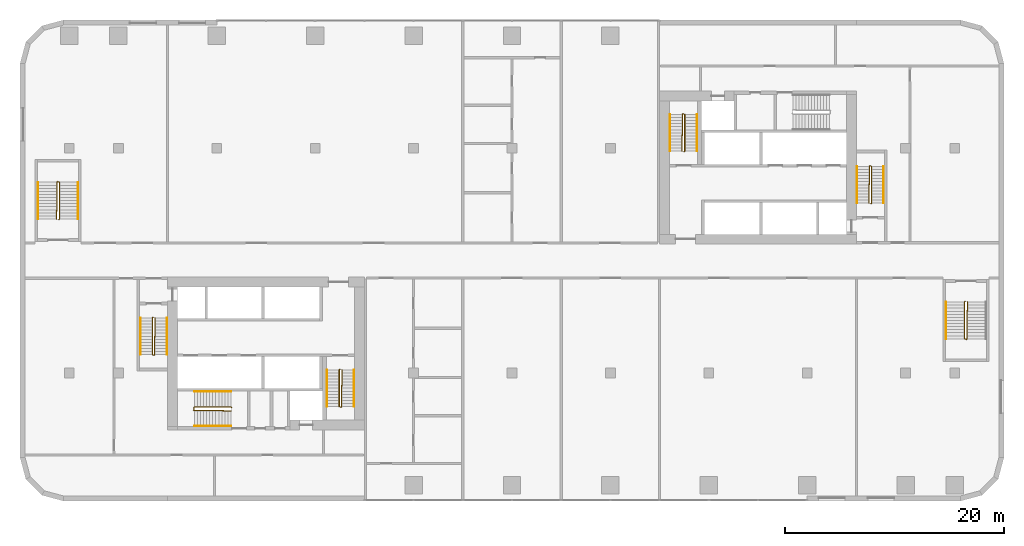
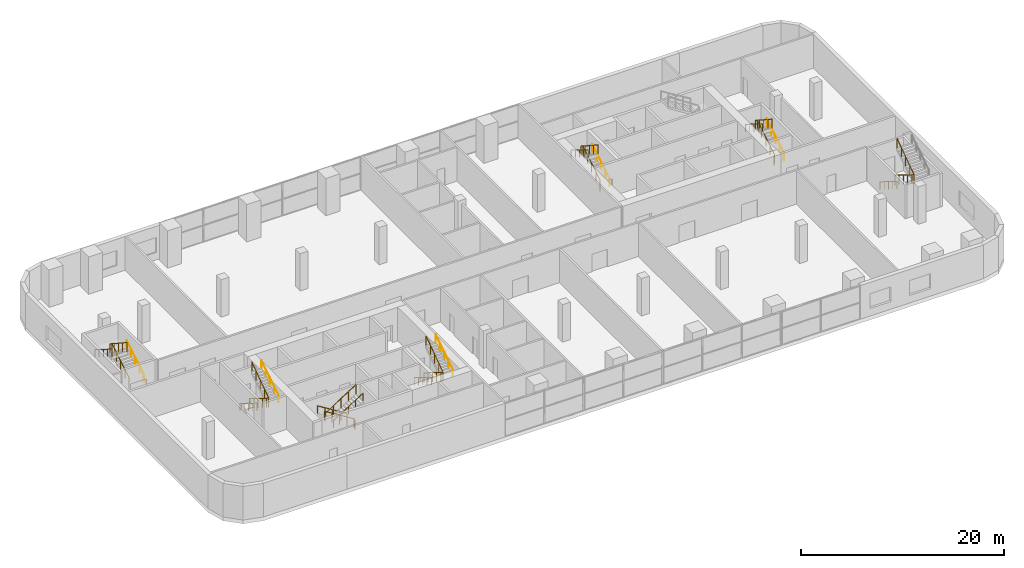
# One storey, part 18 of 19: 20 railings.
"""IFC4 building model written with IfcOpenShell, lengths in metres."""

from ifc_helpers import new_model, si_unit, direction, frame, origin, origin_2d, place, context, subcontext, project, spatial, circle, extrude, material, type_object, element, save


model = new_model("IFC4")

# Units and contexts
model_context = context("Model", 3, precision=1e-05, world=origin(), true_north=direction((0.0, 1.0)))
body_context = subcontext(model_context, "Body", "Model", "MODEL_VIEW")
ifc_project = project(units=[si_unit("LENGTHUNIT", "METRE"), si_unit("AREAUNIT", "SQUARE_METRE"), si_unit("VOLUMEUNIT", "CUBIC_METRE"), si_unit("PLANEANGLEUNIT", "RADIAN"), si_unit("MASSUNIT", "GRAM", prefix="KILO")], contexts=[model_context])

# Site, building, storey
site_placement = place(None, origin())
site = spatial("IfcSite", under=ifc_project, at=site_placement, CompositionType="ELEMENT")
building_placement = place(site_placement, origin())
building = spatial("IfcBuilding", under=site, at=building_placement, Name="Kajstack Hotel Tower", CompositionType="ELEMENT")
storey_placement = place(building_placement, frame((0.0, 0.0, 33.5)))
storey = spatial("IfcBuildingStorey", under=building, at=storey_placement, Name="L05", CompositionType="ELEMENT", Elevation=33.5)

# Railings
ifc_material = material(Name="Steel S355J2", Category="steel")
railing_type_1 = type_object("IfcRailingType", Name="Stair guard 1100", PredefinedType="GUARDRAIL", material=ifc_material)
railing_1_placement = place(storey_placement, frame((-32.85009765625, -5.199951171875, 0.0)))
element("IfcRailing", 1, at=railing_1_placement, inside=storey, type_object=railing_type_1, Name="L05 W1 stair guard 1", PredefinedType="GUARDRAIL", context=body_context, shape_type="SweptSolid", body=[
    extrude(circle(Radius=0.02392578125, at=origin_2d()), frame((0.0, 0.0, 1.076171875), z_axis=(-0.266417085129, -0.267723051232, 0.925929967433), x_axis=(0.708833529934, -0.705375805398, 0.0)), (0.0, 0.0, 1.0), 0.18701171875),
    extrude(circle(Radius=0.02392578125, at=origin_2d()), frame((-0.0498046875, -0.050048828125, 1.2490234375), z_axis=(0.0, -0.850623216509, 0.525775754039), x_axis=(1.0, 0.0, 0.0)), (0.0, 0.0, 1.0), 3.9501953125),
    extrude(circle(Radius=0.02392578125, at=origin_2d()), frame((-0.0498046875, -3.41015625, 3.326171875), z_axis=(0.970351222016, -0.241699205484, 0.0), x_axis=(0.241699205484, 0.970351222016, 0.0)), (0.0, 0.0, 1.0), 0.2060546875),
    extrude(circle(Radius=0.02392578125, at=origin_2d()), frame((0.150146484375, -3.4599609375, 3.326171875), z_axis=(0.012249917091, 0.834607765926, 0.550708467873), x_axis=(-0.999892303572, 0.014675873289, 0.0)), (0.0, 0.0, 1.0), 4.085693359375),
    extrude(circle(Radius=0.02099609375, at=origin_2d()), origin(), (0.0, 0.0, 1.0), 1.052001953125),
    extrude(circle(Radius=0.02099609375, at=origin_2d()), frame((-0.0498046875, -0.050048828125, 0.173095703125)), (0.0, 0.0, 1.0), 1.052001953125),
    extrude(circle(Radius=0.02099609375, at=origin_2d()), frame((-0.0498046875, -0.89013671875, 0.6923828125)), (0.0, 0.0, 1.0), 1.052001953125),
    extrude(circle(Radius=0.02099609375, at=origin_2d()), frame((-0.0498046875, -1.72998046875, 1.21142578125)), (0.0, 0.0, 1.0), 1.052001953125),
    extrude(circle(Radius=0.02099609375, at=origin_2d()), frame((-0.0498046875, -2.570068359375, 1.730712890625)), (0.0, 0.0, 1.0), 1.052001953125),
    extrude(circle(Radius=0.02099609375, at=origin_2d()), frame((-0.0498046875, -3.41015625, 2.25)), (0.0, 0.0, 1.0), 1.052001953125),
    extrude(circle(Radius=0.02099609375, at=origin_2d()), frame((0.150146484375, -3.4599609375, 2.25)), (0.0, 0.0, 1.0), 1.052001953125),
    extrude(circle(Radius=0.02099609375, at=origin_2d()), frame((0.16259765625, -2.607421875, 2.8125)), (0.0, 0.0, 1.0), 1.052001953125),
    extrude(circle(Radius=0.02099609375, at=origin_2d()), frame((0.17529296875, -1.7548828125, 3.375)), (0.0, 0.0, 1.0), 1.052001953125),
    extrude(circle(Radius=0.02099609375, at=origin_2d()), frame((0.187744140625, -0.902587890625, 3.9375)), (0.0, 0.0, 1.0), 1.052001953125),
    extrude(circle(Radius=0.02099609375, at=origin_2d()), frame((0.2001953125, -0.050048828125, 4.5)), (0.0, 0.0, 1.0), 1.052001953125),
])
railing_2_placement = place(storey_placement, frame((-15.75, -9.949951171875, 0.0)))
element("IfcRailing", 2, at=railing_2_placement, inside=storey, type_object=railing_type_1, Name="L05 W2 stair guard 1", PredefinedType="GUARDRAIL", context=body_context, shape_type="SweptSolid", body=[
    extrude(circle(Radius=0.02392578125, at=origin_2d()), frame((0.0, 0.0, 1.076171875), z_axis=(-0.267629722418, -0.267629722418, 0.925607186314), x_axis=(0.707106781187, -0.707106781187, 0.0)), (0.0, 0.0, 1.0), 0.18701171875),
    extrude(circle(Radius=0.02392578125, at=origin_2d()), frame((-0.050048828125, -0.050048828125, 1.2490234375), z_axis=(0.0, -0.850623216509, 0.525775754039), x_axis=(1.0, 0.0, 0.0)), (0.0, 0.0, 1.0), 3.9501953125),
    extrude(circle(Radius=0.02392578125, at=origin_2d()), frame((-0.050048828125, -3.41015625, 3.326171875), z_axis=(0.970351222016, -0.241699205484, 0.0), x_axis=(0.241699205484, 0.970351222016, 0.0)), (0.0, 0.0, 1.0), 0.2060546875),
    extrude(circle(Radius=0.02392578125, at=origin_2d()), frame((0.14990234375, -3.4599609375, 3.326171875), z_axis=(0.012249917091, 0.834607765926, 0.550708467873), x_axis=(-0.999892303572, 0.014675873289, 0.0)), (0.0, 0.0, 1.0), 4.085693359375),
    extrude(circle(Radius=0.02099609375, at=origin_2d()), origin(), (0.0, 0.0, 1.0), 1.052001953125),
    extrude(circle(Radius=0.02099609375, at=origin_2d()), frame((-0.050048828125, -0.050048828125, 0.173095703125)), (0.0, 0.0, 1.0), 1.052001953125),
    extrude(circle(Radius=0.02099609375, at=origin_2d()), frame((-0.050048828125, -0.89013671875, 0.6923828125)), (0.0, 0.0, 1.0), 1.052001953125),
    extrude(circle(Radius=0.02099609375, at=origin_2d()), frame((-0.050048828125, -1.72998046875, 1.21142578125)), (0.0, 0.0, 1.0), 1.052001953125),
    extrude(circle(Radius=0.02099609375, at=origin_2d()), frame((-0.050048828125, -2.570068359375, 1.730712890625)), (0.0, 0.0, 1.0), 1.052001953125),
    extrude(circle(Radius=0.02099609375, at=origin_2d()), frame((-0.050048828125, -3.41015625, 2.25)), (0.0, 0.0, 1.0), 1.052001953125),
    extrude(circle(Radius=0.02099609375, at=origin_2d()), frame((0.14990234375, -3.4599609375, 2.25)), (0.0, 0.0, 1.0), 1.052001953125),
    extrude(circle(Radius=0.02099609375, at=origin_2d()), frame((0.162353515625, -2.607421875, 2.8125)), (0.0, 0.0, 1.0), 1.052001953125),
    extrude(circle(Radius=0.02099609375, at=origin_2d()), frame((0.1748046875, -1.7548828125, 3.375)), (0.0, 0.0, 1.0), 1.052001953125),
    extrude(circle(Radius=0.02099609375, at=origin_2d()), frame((0.1875, -0.902587890625, 3.9375)), (0.0, 0.0, 1.0), 1.052001953125),
    extrude(circle(Radius=0.02099609375, at=origin_2d()), frame((0.199951171875, -0.050048828125, 4.5)), (0.0, 0.0, 1.0), 1.052001953125),
])
railing_3_placement = place(storey_placement, frame((-25.64990234375, -13.449951171875, 0.0)))
element("IfcRailing", 3, at=railing_3_placement, inside=storey, type_object=railing_type_1, Name="L05 W3 stair guard 1", PredefinedType="GUARDRAIL", context=body_context, shape_type="SweptSolid", body=[
    extrude(circle(Radius=0.02392578125, at=origin_2d()), frame((0.0, 0.0, 1.076171875), z_axis=(-0.267629722418, 0.267629722418, 0.925607186314), x_axis=(-0.707106781187, -0.707106781187, 0.0)), (0.0, 0.0, 1.0), 0.18701171875),
    extrude(circle(Radius=0.02392578125, at=origin_2d()), frame((-0.050048828125, 0.050048828125, 1.2490234375), z_axis=(-0.850623216509, 0.0, 0.525775754039), x_axis=(0.0, -1.0, 0.0)), (0.0, 0.0, 1.0), 3.9501953125),
    extrude(circle(Radius=0.02392578125, at=origin_2d()), frame((-3.41015625, 0.050048828125, 3.326171875), z_axis=(-0.164529134168, -0.986372223864, 0.0), x_axis=(0.986372223864, -0.164529134168, 0.0)), (0.0, 0.0, 1.0), 0.30419921875),
    extrude(circle(Radius=0.02392578125, at=origin_2d()), frame((-3.460205078125, -0.25, 3.326171875), z_axis=(0.834625896233, -0.01224930618, 0.5506810037), x_axis=(0.014674822837, 0.99989231899, 0.0)), (0.0, 0.0, 1.0), 4.0859375),
    extrude(circle(Radius=0.02099609375, at=origin_2d()), origin(), (0.0, 0.0, 1.0), 1.052001953125),
    extrude(circle(Radius=0.02099609375, at=origin_2d()), frame((-0.050048828125, 0.050048828125, 0.173095703125)), (0.0, 0.0, 1.0), 1.052001953125),
    extrude(circle(Radius=0.02099609375, at=origin_2d()), frame((-0.89013671875, 0.050048828125, 0.6923828125)), (0.0, 0.0, 1.0), 1.052001953125),
    extrude(circle(Radius=0.02099609375, at=origin_2d()), frame((-1.72998046875, 0.050048828125, 1.21142578125)), (0.0, 0.0, 1.0), 1.052001953125),
    extrude(circle(Radius=0.02099609375, at=origin_2d()), frame((-2.570068359375, 0.050048828125, 1.730712890625)), (0.0, 0.0, 1.0), 1.052001953125),
    extrude(circle(Radius=0.02099609375, at=origin_2d()), frame((-3.41015625, 0.050048828125, 2.25)), (0.0, 0.0, 1.0), 1.052001953125),
    extrude(circle(Radius=0.02099609375, at=origin_2d()), frame((-3.460205078125, -0.25, 2.25)), (0.0, 0.0, 1.0), 1.052001953125),
    extrude(circle(Radius=0.02099609375, at=origin_2d()), frame((-2.607666015625, -0.262451171875, 2.8125)), (0.0, 0.0, 1.0), 1.052001953125),
    extrude(circle(Radius=0.02099609375, at=origin_2d()), frame((-1.755126953125, -0.27490234375, 3.375)), (0.0, 0.0, 1.0), 1.052001953125),
    extrude(circle(Radius=0.02099609375, at=origin_2d()), frame((-0.902587890625, -0.28759765625, 3.9375)), (0.0, 0.0, 1.0), 1.052001953125),
    extrude(circle(Radius=0.02099609375, at=origin_2d()), frame((-0.050048828125, -0.300048828125, 4.5)), (0.0, 0.0, 1.0), 1.052001953125),
])
railing_4_placement = place(storey_placement, frame((32.85009765625, 5.199951171875, 0.0)))
element("IfcRailing", 4, at=railing_4_placement, inside=storey, type_object=railing_type_1, Name="L05 E1 stair guard 1", PredefinedType="GUARDRAIL", context=body_context, shape_type="SweptSolid", body=[
    extrude(circle(Radius=0.02392578125, at=origin_2d()), frame((0.0, 0.0, 1.076171875), z_axis=(0.266417085129, 0.267723051232, 0.925929967433), x_axis=(-0.708833529934, 0.705375805398, 0.0)), (0.0, 0.0, 1.0), 0.18701171875),
    extrude(circle(Radius=0.02392578125, at=origin_2d()), frame((0.0498046875, 0.050048828125, 1.2490234375), z_axis=(0.0, 0.850623216509, 0.525775754039), x_axis=(-1.0, 0.0, 0.0)), (0.0, 0.0, 1.0), 3.9501953125),
    extrude(circle(Radius=0.02392578125, at=origin_2d()), frame((0.0498046875, 3.41015625, 3.326171875), z_axis=(-0.970351222016, 0.241699205484, 0.0), x_axis=(-0.241699205484, -0.970351222016, 0.0)), (0.0, 0.0, 1.0), 0.2060546875),
    extrude(circle(Radius=0.02392578125, at=origin_2d()), frame((-0.150146484375, 3.4599609375, 3.326171875), z_axis=(-0.012249917091, -0.834607765926, 0.550708467873), x_axis=(0.999892303572, -0.014675873289, 0.0)), (0.0, 0.0, 1.0), 4.085693359375),
    extrude(circle(Radius=0.02099609375, at=origin_2d()), origin(), (0.0, 0.0, 1.0), 1.052001953125),
    extrude(circle(Radius=0.02099609375, at=origin_2d()), frame((0.0498046875, 0.050048828125, 0.173095703125)), (0.0, 0.0, 1.0), 1.052001953125),
    extrude(circle(Radius=0.02099609375, at=origin_2d()), frame((0.0498046875, 0.89013671875, 0.6923828125)), (0.0, 0.0, 1.0), 1.052001953125),
    extrude(circle(Radius=0.02099609375, at=origin_2d()), frame((0.0498046875, 1.72998046875, 1.21142578125)), (0.0, 0.0, 1.0), 1.052001953125),
    extrude(circle(Radius=0.02099609375, at=origin_2d()), frame((0.0498046875, 2.570068359375, 1.730712890625)), (0.0, 0.0, 1.0), 1.052001953125),
    extrude(circle(Radius=0.02099609375, at=origin_2d()), frame((0.0498046875, 3.41015625, 2.25)), (0.0, 0.0, 1.0), 1.052001953125),
    extrude(circle(Radius=0.02099609375, at=origin_2d()), frame((-0.150146484375, 3.4599609375, 2.25)), (0.0, 0.0, 1.0), 1.052001953125),
    extrude(circle(Radius=0.02099609375, at=origin_2d()), frame((-0.16259765625, 2.607421875, 2.8125)), (0.0, 0.0, 1.0), 1.052001953125),
    extrude(circle(Radius=0.02099609375, at=origin_2d()), frame((-0.17529296875, 1.7548828125, 3.375)), (0.0, 0.0, 1.0), 1.052001953125),
    extrude(circle(Radius=0.02099609375, at=origin_2d()), frame((-0.187744140625, 0.902587890625, 3.9375)), (0.0, 0.0, 1.0), 1.052001953125),
    extrude(circle(Radius=0.02099609375, at=origin_2d()), frame((-0.2001953125, 0.050048828125, 4.5)), (0.0, 0.0, 1.0), 1.052001953125),
])
railing_5_placement = place(storey_placement, frame((15.75, 9.949951171875, 0.0)))
element("IfcRailing", 5, at=railing_5_placement, inside=storey, type_object=railing_type_1, Name="L05 E2 stair guard 1", PredefinedType="GUARDRAIL", context=body_context, shape_type="SweptSolid", body=[
    extrude(circle(Radius=0.02392578125, at=origin_2d()), frame((0.0, 0.0, 1.076171875), z_axis=(0.267629722418, 0.267629722418, 0.925607186314), x_axis=(-0.707106781187, 0.707106781187, 0.0)), (0.0, 0.0, 1.0), 0.18701171875),
    extrude(circle(Radius=0.02392578125, at=origin_2d()), frame((0.050048828125, 0.050048828125, 1.2490234375), z_axis=(0.0, 0.850623216509, 0.525775754039), x_axis=(-1.0, 0.0, 0.0)), (0.0, 0.0, 1.0), 3.9501953125),
    extrude(circle(Radius=0.02392578125, at=origin_2d()), frame((0.050048828125, 3.41015625, 3.326171875), z_axis=(-0.970351222016, 0.241699205484, 0.0), x_axis=(-0.241699205484, -0.970351222016, 0.0)), (0.0, 0.0, 1.0), 0.2060546875),
    extrude(circle(Radius=0.02392578125, at=origin_2d()), frame((-0.14990234375, 3.4599609375, 3.326171875), z_axis=(-0.012249917091, -0.834607765926, 0.550708467873), x_axis=(0.999892303572, -0.014675873289, 0.0)), (0.0, 0.0, 1.0), 4.085693359375),
    extrude(circle(Radius=0.02099609375, at=origin_2d()), origin(), (0.0, 0.0, 1.0), 1.052001953125),
    extrude(circle(Radius=0.02099609375, at=origin_2d()), frame((0.050048828125, 0.050048828125, 0.173095703125)), (0.0, 0.0, 1.0), 1.052001953125),
    extrude(circle(Radius=0.02099609375, at=origin_2d()), frame((0.050048828125, 0.89013671875, 0.6923828125)), (0.0, 0.0, 1.0), 1.052001953125),
    extrude(circle(Radius=0.02099609375, at=origin_2d()), frame((0.050048828125, 1.72998046875, 1.21142578125)), (0.0, 0.0, 1.0), 1.052001953125),
    extrude(circle(Radius=0.02099609375, at=origin_2d()), frame((0.050048828125, 2.570068359375, 1.730712890625)), (0.0, 0.0, 1.0), 1.052001953125),
    extrude(circle(Radius=0.02099609375, at=origin_2d()), frame((0.050048828125, 3.41015625, 2.25)), (0.0, 0.0, 1.0), 1.052001953125),
    extrude(circle(Radius=0.02099609375, at=origin_2d()), frame((-0.14990234375, 3.4599609375, 2.25)), (0.0, 0.0, 1.0), 1.052001953125),
    extrude(circle(Radius=0.02099609375, at=origin_2d()), frame((-0.162353515625, 2.607421875, 2.8125)), (0.0, 0.0, 1.0), 1.052001953125),
    extrude(circle(Radius=0.02099609375, at=origin_2d()), frame((-0.1748046875, 1.7548828125, 3.375)), (0.0, 0.0, 1.0), 1.052001953125),
    extrude(circle(Radius=0.02099609375, at=origin_2d()), frame((-0.1875, 0.902587890625, 3.9375)), (0.0, 0.0, 1.0), 1.052001953125),
    extrude(circle(Radius=0.02099609375, at=origin_2d()), frame((-0.199951171875, 0.050048828125, 4.5)), (0.0, 0.0, 1.0), 1.052001953125),
])
railing_6_placement = place(storey_placement, frame((-41.449951171875, 3.75, 0.0)))
element("IfcRailing", 6, at=railing_6_placement, inside=storey, type_object=railing_type_1, Name="L05 P1 stair guard 1", PredefinedType="GUARDRAIL", context=body_context, shape_type="SweptSolid", body=[
    extrude(circle(Radius=0.02392578125, at=origin_2d()), frame((0.0, 0.0, 1.076171875), z_axis=(0.267629722418, 0.267629722418, 0.925607186314), x_axis=(-0.707106781187, 0.707106781187, 0.0)), (0.0, 0.0, 1.0), 0.18701171875),
    extrude(circle(Radius=0.02392578125, at=origin_2d()), frame((0.050048828125, 0.050048828125, 1.2490234375), z_axis=(0.0, 0.850606129759, 0.525803396734), x_axis=(-1.0, 0.0, 0.0)), (0.0, 0.0, 1.0), 3.949951171875),
    extrude(circle(Radius=0.02392578125, at=origin_2d()), frame((0.050048828125, 3.409912109375, 3.326171875), z_axis=(-0.970142500145, 0.242535625036, 0.0), x_axis=(-0.242535625036, -0.970142500145, 0.0)), (0.0, 0.0, 1.0), 0.206298828125),
    extrude(circle(Radius=0.02392578125, at=origin_2d()), frame((-0.150146484375, 3.4599609375, 3.326171875), z_axis=(-0.0121901703, -0.834608375372, 0.55070887001), x_axis=(0.999893351539, -0.01460429897, 0.0)), (0.0, 0.0, 1.0), 4.085693359375),
    extrude(circle(Radius=0.02099609375, at=origin_2d()), origin(), (0.0, 0.0, 1.0), 1.052001953125),
    extrude(circle(Radius=0.02099609375, at=origin_2d()), frame((0.050048828125, 0.050048828125, 0.173095703125)), (0.0, 0.0, 1.0), 1.052001953125),
    extrude(circle(Radius=0.02099609375, at=origin_2d()), frame((0.050048828125, 0.89013671875, 0.6923828125)), (0.0, 0.0, 1.0), 1.052001953125),
    extrude(circle(Radius=0.02099609375, at=origin_2d()), frame((0.050048828125, 1.72998046875, 1.21142578125)), (0.0, 0.0, 1.0), 1.052001953125),
    extrude(circle(Radius=0.02099609375, at=origin_2d()), frame((0.050048828125, 2.56982421875, 1.730712890625)), (0.0, 0.0, 1.0), 1.052001953125),
    extrude(circle(Radius=0.02099609375, at=origin_2d()), frame((0.050048828125, 3.409912109375, 2.25)), (0.0, 0.0, 1.0), 1.052001953125),
    extrude(circle(Radius=0.02099609375, at=origin_2d()), frame((-0.150146484375, 3.4599609375, 2.25)), (0.0, 0.0, 1.0), 1.052001953125),
    extrude(circle(Radius=0.02099609375, at=origin_2d()), frame((-0.16259765625, 2.607421875, 2.8125)), (0.0, 0.0, 1.0), 1.052001953125),
    extrude(circle(Radius=0.02099609375, at=origin_2d()), frame((-0.175048828125, 1.7548828125, 3.375)), (0.0, 0.0, 1.0), 1.052001953125),
    extrude(circle(Radius=0.02099609375, at=origin_2d()), frame((-0.1875, 0.902587890625, 3.9375)), (0.0, 0.0, 1.0), 1.052001953125),
    extrude(circle(Radius=0.02099609375, at=origin_2d()), frame((-0.199951171875, 0.050048828125, 4.5)), (0.0, 0.0, 1.0), 1.052001953125),
])
railing_7_placement = place(storey_placement, frame((41.449951171875, -3.75, 0.0)))
element("IfcRailing", 7, at=railing_7_placement, inside=storey, type_object=railing_type_1, Name="L05 P2 stair guard 1", PredefinedType="GUARDRAIL", context=body_context, shape_type="SweptSolid", body=[
    extrude(circle(Radius=0.02392578125, at=origin_2d()), frame((0.0, 0.0, 1.076171875), z_axis=(-0.267629722418, -0.267629722418, 0.925607186314), x_axis=(0.707106781187, -0.707106781187, 0.0)), (0.0, 0.0, 1.0), 0.18701171875),
    extrude(circle(Radius=0.02392578125, at=origin_2d()), frame((-0.050048828125, -0.050048828125, 1.2490234375), z_axis=(0.0, -0.850606129759, 0.525803396734), x_axis=(1.0, 0.0, 0.0)), (0.0, 0.0, 1.0), 3.949951171875),
    extrude(circle(Radius=0.02392578125, at=origin_2d()), frame((-0.050048828125, -3.409912109375, 3.326171875), z_axis=(0.970142500145, -0.242535625036, 0.0), x_axis=(0.242535625036, 0.970142500145, 0.0)), (0.0, 0.0, 1.0), 0.206298828125),
    extrude(circle(Radius=0.02392578125, at=origin_2d()), frame((0.150146484375, -3.4599609375, 3.326171875), z_axis=(0.0121901703, 0.834608375372, 0.55070887001), x_axis=(-0.999893351539, 0.01460429897, 0.0)), (0.0, 0.0, 1.0), 4.085693359375),
    extrude(circle(Radius=0.02099609375, at=origin_2d()), origin(), (0.0, 0.0, 1.0), 1.052001953125),
    extrude(circle(Radius=0.02099609375, at=origin_2d()), frame((-0.050048828125, -0.050048828125, 0.173095703125)), (0.0, 0.0, 1.0), 1.052001953125),
    extrude(circle(Radius=0.02099609375, at=origin_2d()), frame((-0.050048828125, -0.89013671875, 0.6923828125)), (0.0, 0.0, 1.0), 1.052001953125),
    extrude(circle(Radius=0.02099609375, at=origin_2d()), frame((-0.050048828125, -1.72998046875, 1.21142578125)), (0.0, 0.0, 1.0), 1.052001953125),
    extrude(circle(Radius=0.02099609375, at=origin_2d()), frame((-0.050048828125, -2.56982421875, 1.730712890625)), (0.0, 0.0, 1.0), 1.052001953125),
    extrude(circle(Radius=0.02099609375, at=origin_2d()), frame((-0.050048828125, -3.409912109375, 2.25)), (0.0, 0.0, 1.0), 1.052001953125),
    extrude(circle(Radius=0.02099609375, at=origin_2d()), frame((0.150146484375, -3.4599609375, 2.25)), (0.0, 0.0, 1.0), 1.052001953125),
    extrude(circle(Radius=0.02099609375, at=origin_2d()), frame((0.16259765625, -2.607421875, 2.8125)), (0.0, 0.0, 1.0), 1.052001953125),
    extrude(circle(Radius=0.02099609375, at=origin_2d()), frame((0.175048828125, -1.7548828125, 3.375)), (0.0, 0.0, 1.0), 1.052001953125),
    extrude(circle(Radius=0.02099609375, at=origin_2d()), frame((0.1875, -0.902587890625, 3.9375)), (0.0, 0.0, 1.0), 1.052001953125),
    extrude(circle(Radius=0.02099609375, at=origin_2d()), frame((0.199951171875, -0.050048828125, 4.5)), (0.0, 0.0, 1.0), 1.052001953125),
])
railing_type_2 = type_object("IfcRailingType", Name="Stair handrail 900", PredefinedType="HANDRAIL", material=ifc_material)
railing_8_placement = place(storey_placement, frame((-34.0, -5.25, 0.173095703125)))
element("IfcRailing", 8, at=railing_8_placement, inside=storey, type_object=railing_type_2, Name="L05 W1 stair handrail 1", PredefinedType="HANDRAIL", context=body_context, shape_type="SweptSolid", body=[
    extrude(circle(Radius=0.02392578125, at=origin_2d()), frame((0.0, 0.0, 0.8759765625), z_axis=(0.0, -0.850623216509, 0.525775754039), x_axis=(1.0, 0.0, 0.0)), (0.0, 0.0, 1.0), 3.9501953125),
    extrude(circle(Radius=0.02099609375, at=origin_2d()), origin(), (0.0, 0.0, 1.0), 0.851806640625),
    extrude(circle(Radius=0.02099609375, at=origin_2d()), frame((0.0, -0.840087890625, 0.519287109375)), (0.0, 0.0, 1.0), 0.851806640625),
    extrude(circle(Radius=0.02099609375, at=origin_2d()), frame((0.0, -1.68017578125, 1.03857421875)), (0.0, 0.0, 1.0), 0.851806640625),
    extrude(circle(Radius=0.02099609375, at=origin_2d()), frame((0.0, -2.52001953125, 1.5576171875)), (0.0, 0.0, 1.0), 0.851806640625),
    extrude(circle(Radius=0.02099609375, at=origin_2d()), frame((0.0, -3.360107421875, 2.076904296875)), (0.0, 0.0, 1.0), 0.851806640625),
])
railing_9_placement = place(storey_placement, frame((-31.550048828125, -8.610107421875, 2.423095703125)))
element("IfcRailing", 9, at=railing_9_placement, inside=storey, type_object=railing_type_2, Name="L05 W1 stair handrail 2", PredefinedType="HANDRAIL", context=body_context, shape_type="SweptSolid", body=[
    extrude(circle(Radius=0.02392578125, at=origin_2d()), frame((0.0, 0.0, 0.8759765625), z_axis=(0.0, 0.850623216509, 0.525775754039), x_axis=(-1.0, 0.0, 0.0)), (0.0, 0.0, 1.0), 3.9501953125),
    extrude(circle(Radius=0.02099609375, at=origin_2d()), origin(), (0.0, 0.0, 1.0), 0.851806640625),
    extrude(circle(Radius=0.02099609375, at=origin_2d()), frame((0.0, 0.840087890625, 0.519287109375)), (0.0, 0.0, 1.0), 0.851806640625),
    extrude(circle(Radius=0.02099609375, at=origin_2d()), frame((0.0, 1.68017578125, 1.03857421875)), (0.0, 0.0, 1.0), 0.851806640625),
    extrude(circle(Radius=0.02099609375, at=origin_2d()), frame((0.0, 2.52001953125, 1.5576171875)), (0.0, 0.0, 1.0), 0.851806640625),
    extrude(circle(Radius=0.02099609375, at=origin_2d()), frame((0.0, 3.360107421875, 2.076904296875)), (0.0, 0.0, 1.0), 0.851806640625),
])
railing_10_placement = place(storey_placement, frame((-16.89990234375, -10.0, 0.173095703125)))
element("IfcRailing", 10, at=railing_10_placement, inside=storey, type_object=railing_type_2, Name="L05 W2 stair handrail 1", PredefinedType="HANDRAIL", context=body_context, shape_type="SweptSolid", body=[
    extrude(circle(Radius=0.02392578125, at=origin_2d()), frame((0.0, 0.0, 0.8759765625), z_axis=(0.0, -0.850623216509, 0.525775754039), x_axis=(1.0, 0.0, 0.0)), (0.0, 0.0, 1.0), 3.9501953125),
    extrude(circle(Radius=0.02099609375, at=origin_2d()), origin(), (0.0, 0.0, 1.0), 0.851806640625),
    extrude(circle(Radius=0.02099609375, at=origin_2d()), frame((0.0, -0.840087890625, 0.519287109375)), (0.0, 0.0, 1.0), 0.851806640625),
    extrude(circle(Radius=0.02099609375, at=origin_2d()), frame((0.0, -1.68017578125, 1.03857421875)), (0.0, 0.0, 1.0), 0.851806640625),
    extrude(circle(Radius=0.02099609375, at=origin_2d()), frame((0.0, -2.52001953125, 1.5576171875)), (0.0, 0.0, 1.0), 0.851806640625),
    extrude(circle(Radius=0.02099609375, at=origin_2d()), frame((0.0, -3.360107421875, 2.076904296875)), (0.0, 0.0, 1.0), 0.851806640625),
])
railing_11_placement = place(storey_placement, frame((-14.449951171875, -13.360107421875, 2.423095703125)))
element("IfcRailing", 11, at=railing_11_placement, inside=storey, type_object=railing_type_2, Name="L05 W2 stair handrail 2", PredefinedType="HANDRAIL", context=body_context, shape_type="SweptSolid", body=[
    extrude(circle(Radius=0.02392578125, at=origin_2d()), frame((0.0, 0.0, 0.8759765625), z_axis=(0.0, 0.850623216509, 0.525775754039), x_axis=(-1.0, 0.0, 0.0)), (0.0, 0.0, 1.0), 3.9501953125),
    extrude(circle(Radius=0.02099609375, at=origin_2d()), origin(), (0.0, 0.0, 1.0), 0.851806640625),
    extrude(circle(Radius=0.02099609375, at=origin_2d()), frame((0.0, 0.840087890625, 0.519287109375)), (0.0, 0.0, 1.0), 0.851806640625),
    extrude(circle(Radius=0.02099609375, at=origin_2d()), frame((0.0, 1.68017578125, 1.03857421875)), (0.0, 0.0, 1.0), 0.851806640625),
    extrude(circle(Radius=0.02099609375, at=origin_2d()), frame((0.0, 2.52001953125, 1.5576171875)), (0.0, 0.0, 1.0), 0.851806640625),
    extrude(circle(Radius=0.02099609375, at=origin_2d()), frame((0.0, 3.360107421875, 2.076904296875)), (0.0, 0.0, 1.0), 0.851806640625),
])
railing_12_placement = place(storey_placement, frame((-25.699951171875, -12.0, 0.173095703125)))
element("IfcRailing", 12, at=railing_12_placement, inside=storey, type_object=railing_type_2, Name="L05 W3 stair handrail 1", PredefinedType="HANDRAIL", context=body_context, shape_type="SweptSolid", body=[
    extrude(circle(Radius=0.02392578125, at=origin_2d()), frame((0.0, 0.0, 0.8759765625), z_axis=(-0.850623216509, 0.0, 0.525775754039), x_axis=(0.0, -1.0, 0.0)), (0.0, 0.0, 1.0), 3.9501953125),
    extrude(circle(Radius=0.02099609375, at=origin_2d()), origin(), (0.0, 0.0, 1.0), 0.851806640625),
    extrude(circle(Radius=0.02099609375, at=origin_2d()), frame((-0.840087890625, 0.0, 0.519287109375)), (0.0, 0.0, 1.0), 0.851806640625),
    extrude(circle(Radius=0.02099609375, at=origin_2d()), frame((-1.68017578125, 0.0, 1.03857421875)), (0.0, 0.0, 1.0), 0.851806640625),
    extrude(circle(Radius=0.02099609375, at=origin_2d()), frame((-2.52001953125, 0.0, 1.5576171875)), (0.0, 0.0, 1.0), 0.851806640625),
    extrude(circle(Radius=0.02099609375, at=origin_2d()), frame((-3.360107421875, 0.0, 2.076904296875)), (0.0, 0.0, 1.0), 0.851806640625),
])
railing_13_placement = place(storey_placement, frame((-29.06005859375, -15.14990234375, 2.423095703125)))
element("IfcRailing", 13, at=railing_13_placement, inside=storey, type_object=railing_type_2, Name="L05 W3 stair handrail 2", PredefinedType="HANDRAIL", context=body_context, shape_type="SweptSolid", body=[
    extrude(circle(Radius=0.02392578125, at=origin_2d()), frame((0.0, 0.0, 0.8759765625), z_axis=(0.850623216509, 0.0, 0.525775754039), x_axis=(0.0, 1.0, 0.0)), (0.0, 0.0, 1.0), 3.9501953125),
    extrude(circle(Radius=0.02099609375, at=origin_2d()), origin(), (0.0, 0.0, 1.0), 0.851806640625),
    extrude(circle(Radius=0.02099609375, at=origin_2d()), frame((0.840087890625, 0.0, 0.519287109375)), (0.0, 0.0, 1.0), 0.851806640625),
    extrude(circle(Radius=0.02099609375, at=origin_2d()), frame((1.68017578125, 0.0, 1.03857421875)), (0.0, 0.0, 1.0), 0.851806640625),
    extrude(circle(Radius=0.02099609375, at=origin_2d()), frame((2.52001953125, 0.0, 1.5576171875)), (0.0, 0.0, 1.0), 0.851806640625),
    extrude(circle(Radius=0.02099609375, at=origin_2d()), frame((3.360107421875, 0.0, 2.076904296875)), (0.0, 0.0, 1.0), 0.851806640625),
])
railing_14_placement = place(storey_placement, frame((34.0, 5.25, 0.173095703125)))
element("IfcRailing", 14, at=railing_14_placement, inside=storey, type_object=railing_type_2, Name="L05 E1 stair handrail 1", PredefinedType="HANDRAIL", context=body_context, shape_type="SweptSolid", body=[
    extrude(circle(Radius=0.02392578125, at=origin_2d()), frame((0.0, 0.0, 0.8759765625), z_axis=(0.0, 0.850623216509, 0.525775754039), x_axis=(-1.0, 0.0, 0.0)), (0.0, 0.0, 1.0), 3.9501953125),
    extrude(circle(Radius=0.02099609375, at=origin_2d()), origin(), (0.0, 0.0, 1.0), 0.851806640625),
    extrude(circle(Radius=0.02099609375, at=origin_2d()), frame((0.0, 0.840087890625, 0.519287109375)), (0.0, 0.0, 1.0), 0.851806640625),
    extrude(circle(Radius=0.02099609375, at=origin_2d()), frame((0.0, 1.68017578125, 1.03857421875)), (0.0, 0.0, 1.0), 0.851806640625),
    extrude(circle(Radius=0.02099609375, at=origin_2d()), frame((0.0, 2.52001953125, 1.5576171875)), (0.0, 0.0, 1.0), 0.851806640625),
    extrude(circle(Radius=0.02099609375, at=origin_2d()), frame((0.0, 3.360107421875, 2.076904296875)), (0.0, 0.0, 1.0), 0.851806640625),
])
railing_15_placement = place(storey_placement, frame((31.550048828125, 8.610107421875, 2.423095703125)))
element("IfcRailing", 15, at=railing_15_placement, inside=storey, type_object=railing_type_2, Name="L05 E1 stair handrail 2", PredefinedType="HANDRAIL", context=body_context, shape_type="SweptSolid", body=[
    extrude(circle(Radius=0.02392578125, at=origin_2d()), frame((0.0, 0.0, 0.8759765625), z_axis=(0.0, -0.850623216509, 0.525775754039), x_axis=(1.0, 0.0, 0.0)), (0.0, 0.0, 1.0), 3.9501953125),
    extrude(circle(Radius=0.02099609375, at=origin_2d()), origin(), (0.0, 0.0, 1.0), 0.851806640625),
    extrude(circle(Radius=0.02099609375, at=origin_2d()), frame((0.0, -0.840087890625, 0.519287109375)), (0.0, 0.0, 1.0), 0.851806640625),
    extrude(circle(Radius=0.02099609375, at=origin_2d()), frame((0.0, -1.68017578125, 1.03857421875)), (0.0, 0.0, 1.0), 0.851806640625),
    extrude(circle(Radius=0.02099609375, at=origin_2d()), frame((0.0, -2.52001953125, 1.5576171875)), (0.0, 0.0, 1.0), 0.851806640625),
    extrude(circle(Radius=0.02099609375, at=origin_2d()), frame((0.0, -3.360107421875, 2.076904296875)), (0.0, 0.0, 1.0), 0.851806640625),
])
railing_16_placement = place(storey_placement, frame((16.89990234375, 10.0, 0.173095703125)))
element("IfcRailing", 16, at=railing_16_placement, inside=storey, type_object=railing_type_2, Name="L05 E2 stair handrail 1", PredefinedType="HANDRAIL", context=body_context, shape_type="SweptSolid", body=[
    extrude(circle(Radius=0.02392578125, at=origin_2d()), frame((0.0, 0.0, 0.8759765625), z_axis=(0.0, 0.850623216509, 0.525775754039), x_axis=(-1.0, 0.0, 0.0)), (0.0, 0.0, 1.0), 3.9501953125),
    extrude(circle(Radius=0.02099609375, at=origin_2d()), origin(), (0.0, 0.0, 1.0), 0.851806640625),
    extrude(circle(Radius=0.02099609375, at=origin_2d()), frame((0.0, 0.840087890625, 0.519287109375)), (0.0, 0.0, 1.0), 0.851806640625),
    extrude(circle(Radius=0.02099609375, at=origin_2d()), frame((0.0, 1.68017578125, 1.03857421875)), (0.0, 0.0, 1.0), 0.851806640625),
    extrude(circle(Radius=0.02099609375, at=origin_2d()), frame((0.0, 2.52001953125, 1.5576171875)), (0.0, 0.0, 1.0), 0.851806640625),
    extrude(circle(Radius=0.02099609375, at=origin_2d()), frame((0.0, 3.360107421875, 2.076904296875)), (0.0, 0.0, 1.0), 0.851806640625),
])
railing_17_placement = place(storey_placement, frame((14.449951171875, 13.360107421875, 2.423095703125)))
element("IfcRailing", 17, at=railing_17_placement, inside=storey, type_object=railing_type_2, Name="L05 E2 stair handrail 2", PredefinedType="HANDRAIL", context=body_context, shape_type="SweptSolid", body=[
    extrude(circle(Radius=0.02392578125, at=origin_2d()), frame((0.0, 0.0, 0.8759765625), z_axis=(0.0, -0.850623216509, 0.525775754039), x_axis=(1.0, 0.0, 0.0)), (0.0, 0.0, 1.0), 3.9501953125),
    extrude(circle(Radius=0.02099609375, at=origin_2d()), origin(), (0.0, 0.0, 1.0), 0.851806640625),
    extrude(circle(Radius=0.02099609375, at=origin_2d()), frame((0.0, -0.840087890625, 0.519287109375)), (0.0, 0.0, 1.0), 0.851806640625),
    extrude(circle(Radius=0.02099609375, at=origin_2d()), frame((0.0, -1.68017578125, 1.03857421875)), (0.0, 0.0, 1.0), 0.851806640625),
    extrude(circle(Radius=0.02099609375, at=origin_2d()), frame((0.0, -2.52001953125, 1.5576171875)), (0.0, 0.0, 1.0), 0.851806640625),
    extrude(circle(Radius=0.02099609375, at=origin_2d()), frame((0.0, -3.360107421875, 2.076904296875)), (0.0, 0.0, 1.0), 0.851806640625),
])
railing_18_placement = place(storey_placement, frame((-39.699951171875, 3.800048828125, 0.173095703125)))
element("IfcRailing", 18, at=railing_18_placement, inside=storey, type_object=railing_type_2, Name="L05 P1 stair handrail 1", PredefinedType="HANDRAIL", context=body_context, shape_type="SweptSolid", body=[
    extrude(circle(Radius=0.02392578125, at=origin_2d()), frame((0.0, 0.0, 0.8759765625), z_axis=(0.0, 0.850606129759, 0.525803396734), x_axis=(-1.0, 0.0, 0.0)), (0.0, 0.0, 1.0), 3.949951171875),
    extrude(circle(Radius=0.02099609375, at=origin_2d()), origin(), (0.0, 0.0, 1.0), 0.851806640625),
    extrude(circle(Radius=0.02099609375, at=origin_2d()), frame((0.0, 0.83984375, 0.519287109375)), (0.0, 0.0, 1.0), 0.851806640625),
    extrude(circle(Radius=0.02099609375, at=origin_2d()), frame((0.0, 1.679931640625, 1.03857421875)), (0.0, 0.0, 1.0), 0.851806640625),
    extrude(circle(Radius=0.02099609375, at=origin_2d()), frame((0.0, 2.52001953125, 1.5576171875)), (0.0, 0.0, 1.0), 0.851806640625),
    extrude(circle(Radius=0.02099609375, at=origin_2d()), frame((0.0, 3.35986328125, 2.076904296875)), (0.0, 0.0, 1.0), 0.851806640625),
])
for number, where, name in (
    (19, (-43.35009765625, 7.159912109375, 2.423095703125), "L05 P1 stair handrail 2"),
    (20, (39.699951171875, -3.800048828125, 0.173095703125), "L05 P2 stair handrail 1"),
):
    element("IfcRailing", number, at=place(storey_placement, frame(where)), inside=storey, type_object=railing_type_2, Name=name, PredefinedType="HANDRAIL", context=body_context, shape_type="SweptSolid", body=[
        extrude(circle(Radius=0.02392578125, at=origin_2d()), frame((0.0, 0.0, 0.8759765625), z_axis=(0.0, -0.850606129759, 0.525803396734), x_axis=(1.0, 0.0, 0.0)), (0.0, 0.0, 1.0), 3.949951171875),
        extrude(circle(Radius=0.02099609375, at=origin_2d()), origin(), (0.0, 0.0, 1.0), 0.851806640625),
        extrude(circle(Radius=0.02099609375, at=origin_2d()), frame((0.0, -0.83984375, 0.519287109375)), (0.0, 0.0, 1.0), 0.851806640625),
        extrude(circle(Radius=0.02099609375, at=origin_2d()), frame((0.0, -1.679931640625, 1.03857421875)), (0.0, 0.0, 1.0), 0.851806640625),
        extrude(circle(Radius=0.02099609375, at=origin_2d()), frame((0.0, -2.52001953125, 1.5576171875)), (0.0, 0.0, 1.0), 0.851806640625),
        extrude(circle(Radius=0.02099609375, at=origin_2d()), frame((0.0, -3.35986328125, 2.076904296875)), (0.0, 0.0, 1.0), 0.851806640625),
    ])

save(model, "model.ifc")
